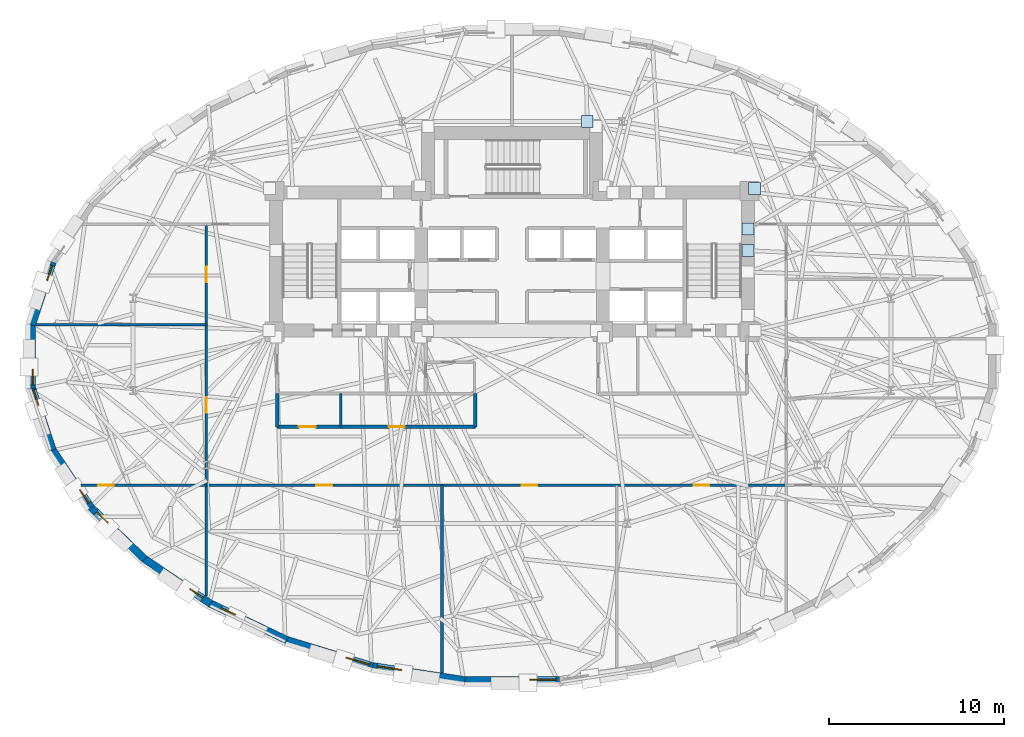
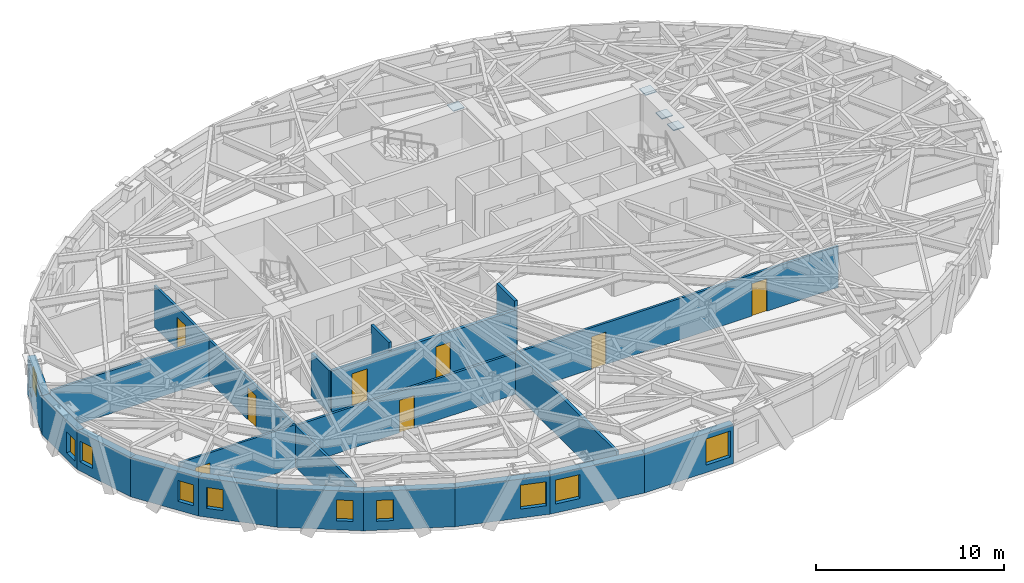
# One storey, part 6 of 14: 19 walls, 10 windows, 8 doors, 4 plates, 18 openings.
"""IFC4 building model written with IfcOpenShell, lengths in metres."""

from ifc_helpers import new_model, si_unit, direction, frame, frame_2d, origin, origin_2d, place, context, subcontext, project, spatial, rectangle, extrude, material, layer, layer_set, type_object, element, fill, save


model = new_model("IFC4")

# Units and contexts
model_context = context("Model", 3, precision=1e-05, world=origin(), true_north=direction((0.0, 1.0)))
body_context = subcontext(model_context, "Body", "Model", "MODEL_VIEW")
ifc_project = project(units=[si_unit("LENGTHUNIT", "METRE"), si_unit("AREAUNIT", "SQUARE_METRE"), si_unit("VOLUMEUNIT", "CUBIC_METRE"), si_unit("PLANEANGLEUNIT", "RADIAN"), si_unit("MASSUNIT", "GRAM", prefix="KILO")], contexts=[model_context])

# Site, building, storey
site_placement = place(None, origin())
site = spatial("IfcSite", under=ifc_project, at=site_placement, CompositionType="ELEMENT")
building_placement = place(site_placement, origin())
building = spatial("IfcBuilding", under=site, at=building_placement, Name="Keldmark Tower", CompositionType="ELEMENT")
storey_placement = place(building_placement, frame((0.0, 0.0, 107.10009765625)))
storey = spatial("IfcBuildingStorey", under=building, at=storey_placement, Name="L28", CompositionType="ELEMENT", Elevation=107.10009765625)

# Plates
ifc_material_1 = material(Name="Steel ASTM A572 Grade 50", Category="steel")
ifc_layer_1 = layer(ifc_material_1, 0.06005859375)
ifc_layer_set_1 = layer_set([ifc_layer_1], Name="Steel ASTM A572 Grade 50")
plate_type = type_object("IfcPlateType", Name="Belt Truss Kink Node Assembly KN01 60 mm", PredefinedType="USERDEFINED", material=ifc_layer_set_1)
for number, where, z_axis, x_axis, name in (
    (1, (13.878173828125, 9.608154296875, 3.01416015625), (0.0, 0.0, 1.0), (1.0, 0.0, 0.0), "L28 Core Wall Cast-In Embed Plate 778"),
    (2, (13.52490234375, 7.278564453125, 3.01416015625), (0.0, 0.0, 1.0), (1.0, 0.0, 0.0), "L28 Core Wall Cast-In Embed Plate 791"),
    (3, (13.52490234375, 6.04296875, 3.01416015625), (0.0, 0.0, 1.0), (1.0, 0.0, 0.0), "L28 Core Wall Cast-In Embed Plate 805"),
    (4, (4.311279296875, 13.4326171875, 3.01416015625), (0.0, 0.0, 1.0), (1.0, 0.0, 0.0), "L28 Core Wall Cast-In Embed Plate 806"),
):
    element("IfcPlate", number, at=place(storey_placement, frame(where, z_axis=z_axis, x_axis=x_axis)), inside=storey, type_object=plate_type, Name=name, ObjectType="CAP PLATE", PredefinedType="USERDEFINED", context=body_context, shape_type="SweptSolid", body=[
        extrude(rectangle(XDim=0.679931640625, YDim=0.679931640625, at=origin_2d()), origin(), (0.0, 0.0, 1.0), 0.054931640625),
    ])

# Wall, openings, doors
ifc_material_2 = material(Name="Acoustic Double-Layer Gypsum Corridor Partition", Category="gypsum")
ifc_layer_2 = layer(ifc_material_2, 0.139892578125)
ifc_layer_set_2 = layer_set([ifc_layer_2], Name="Acoustic Double-Layer Gypsum Corridor Partition")
wall_type_1 = type_object("IfcWallType", Name="Acoustic Corridor Partition 140 mm", PredefinedType="PARTITIONING", material=ifc_layer_set_2)
wall_1_placement = place(storey_placement, frame((-17.5, -7.39990234375, 0.0), z_axis=(0.0, 0.0, 1.0), x_axis=(1.0, 0.0, 0.0)))
wall_1 = element("IfcWall", 5, at=wall_1_placement, inside=storey, type_object=wall_type_1, Name="L28 Acoustic Corridor Partition 140 mm COR-S", PredefinedType="PARTITIONING", context=body_context, shape_type="SweptSolid", body=[
    extrude(rectangle(XDim=33.199951171875, YDim=0.139892578125, at=frame_2d((16.60009765625, 0.0))), origin(), (0.0, 0.0, 1.0), 2.68798828125),
])
opening_1_placement = place(wall_1_placement, frame((6.300048828125, 0.0, 0.0)))
opening_1 = element("IfcOpeningElement", 6, at=opening_1_placement, cuts=wall_1, Name="Opening D-IN090", PredefinedType="OPENING", context=body_context, shape_type="SweptSolid", body=[
    extrude(rectangle(XDim=0.89990234375, YDim=2.10009765625, at=frame_2d((0.449951171875, 1.050048828125))), frame((0.0, 0.079833984375, 0.0), z_axis=(0.0, -1.0, 0.0), x_axis=(1.0, 0.0, 0.0)), (0.0, 0.0, 1.0), 0.159912109375),
])
opening_2_placement = place(wall_1_placement, frame((18.050048828125, 0.0, 0.0)))
opening_2 = element("IfcOpeningElement", 7, at=opening_2_placement, cuts=wall_1, Name="Opening D-IN090", PredefinedType="OPENING", context=body_context, shape_type="SweptSolid", body=[
    extrude(rectangle(XDim=0.89990234375, YDim=2.10009765625, at=frame_2d((0.449951171875, 1.050048828125))), frame((0.0, 0.079833984375, 0.0), z_axis=(0.0, -1.0, 0.0), x_axis=(1.0, 0.0, 0.0)), (0.0, 0.0, 1.0), 0.159912109375),
])
opening_3_placement = place(wall_1_placement, frame((27.89990234375, 0.0, 0.0)))
opening_3 = element("IfcOpeningElement", 8, at=opening_3_placement, cuts=wall_1, Name="Opening D-IN090", PredefinedType="OPENING", context=body_context, shape_type="SweptSolid", body=[
    extrude(rectangle(XDim=0.89990234375, YDim=2.10009765625, at=frame_2d((0.449951171875, 1.050048828125))), frame((0.0, 0.079833984375, 0.0), z_axis=(0.0, -1.0, 0.0), x_axis=(1.0, 0.0, 0.0)), (0.0, 0.0, 1.0), 0.159912109375),
])
ifc_material_3 = material(Name="Stained American White Oak Veneer", Category="wood")
door_type_1 = type_object("IfcDoorType", Name="Interior Door 900x2100", OperationType="NOTDEFINED", PredefinedType="DOOR", material=ifc_material_3)
door_1_placement = place(opening_1_placement, origin())
door_1 = element("IfcDoor", 9, at=door_1_placement, inside=storey, type_object=door_type_1, Name="L28 Interior Door 900x2100 D-SR-1-L28", OperationType="SINGLE_SWING_LEFT", OverallHeight=2.10009765625, OverallWidth=0.89990234375, PredefinedType="DOOR", context=body_context, shape_type="SweptSolid", body=[
    extrude(rectangle(XDim=0.89990234375, YDim=2.10009765625, at=frame_2d((0.449951171875, 1.050048828125))), frame((0.0, 0.02490234375, 0.0), z_axis=(0.0, -1.0, 0.0), x_axis=(1.0, 0.0, 0.0)), (0.0, 0.0, 1.0), 0.050048828125),
])
fill(opening_1, door_1)
door_2_placement = place(opening_2_placement, origin())
door_2 = element("IfcDoor", 10, at=door_2_placement, inside=storey, type_object=door_type_1, Name="L28 Interior Door 900x2100 D-SR-2-L28", OperationType="SINGLE_SWING_RIGHT", OverallHeight=2.10009765625, OverallWidth=0.89990234375, PredefinedType="DOOR", context=body_context, shape_type="SweptSolid", body=[
    extrude(rectangle(XDim=0.89990234375, YDim=2.10009765625, at=frame_2d((0.449951171875, 1.050048828125))), frame((0.0, 0.02490234375, 0.0), z_axis=(0.0, -1.0, 0.0), x_axis=(1.0, 0.0, 0.0)), (0.0, 0.0, 1.0), 0.050048828125),
])
fill(opening_2, door_2)
door_3_placement = place(opening_3_placement, origin())
door_3 = element("IfcDoor", 11, at=door_3_placement, inside=storey, type_object=door_type_1, Name="L28 Interior Door 900x2100 D-SR-3-L28", OperationType="SINGLE_SWING_LEFT", OverallHeight=2.10009765625, OverallWidth=0.89990234375, PredefinedType="DOOR", context=body_context, shape_type="SweptSolid", body=[
    extrude(rectangle(XDim=0.89990234375, YDim=2.10009765625, at=frame_2d((0.449951171875, 1.050048828125))), frame((0.0, 0.02490234375, 0.0), z_axis=(0.0, -1.0, 0.0), x_axis=(1.0, 0.0, 0.0)), (0.0, 0.0, 1.0), 0.050048828125),
])
fill(opening_3, door_3)

wall_2_placement = place(storey_placement, frame((-17.5, -13.748291015625, 0.0), z_axis=(0.0, 0.0, 1.0), x_axis=(0.0, 1.0, 0.0)))
wall_2 = element("IfcWall", 12, at=wall_2_placement, inside=storey, type_object=wall_type_1, Name="L28 Acoustic Corridor Partition 140 mm COR-W", PredefinedType="PARTITIONING", context=body_context, shape_type="SweptSolid", body=[
    extrude(rectangle(XDim=21.29833984375, YDim=0.139892578125, at=frame_2d((10.649169921875, 0.0))), origin(), (0.0, 0.0, 1.0), 2.68798828125),
])
opening_4_placement = place(wall_2_placement, frame((10.49853515625, 0.0, 0.0)))
opening_4 = element("IfcOpeningElement", 13, at=opening_4_placement, cuts=wall_2, Name="Opening D-IN090", PredefinedType="OPENING", context=body_context, shape_type="SweptSolid", body=[
    extrude(rectangle(XDim=0.89990234375, YDim=2.10009765625, at=frame_2d((0.449951171875, 1.050048828125))), frame((0.0, 0.079833984375, 0.0), z_axis=(0.0, -1.0, 0.0), x_axis=(1.0, 0.0, 0.0)), (0.0, 0.0, 1.0), 0.159912109375),
])
opening_5_placement = place(wall_2_placement, frame((17.9736328125, 0.0, 0.0)))
opening_5 = element("IfcOpeningElement", 14, at=opening_5_placement, cuts=wall_2, Name="Opening D-IN090", PredefinedType="OPENING", context=body_context, shape_type="SweptSolid", body=[
    extrude(rectangle(XDim=0.89990234375, YDim=2.10009765625, at=frame_2d((0.449951171875, 1.050048828125))), frame((0.0, 0.079833984375, 0.0), z_axis=(0.0, -1.0, 0.0), x_axis=(1.0, 0.0, 0.0)), (0.0, 0.0, 1.0), 0.159912109375),
])
door_4_placement = place(opening_4_placement, origin())
door_4 = element("IfcDoor", 15, at=door_4_placement, inside=storey, type_object=door_type_1, Name="L28 Interior Door 900x2100 D-WR-1-L28", OperationType="SINGLE_SWING_RIGHT", OverallHeight=2.10009765625, OverallWidth=0.89990234375, PredefinedType="DOOR", context=body_context, shape_type="SweptSolid", body=[
    extrude(rectangle(XDim=0.89990234375, YDim=2.10009765625, at=frame_2d((0.449951171875, 1.050048828125))), frame((0.0, 0.02490234375, 0.0), z_axis=(0.0, -1.0, 0.0), x_axis=(1.0, 0.0, 0.0)), (0.0, 0.0, 1.0), 0.050048828125),
])
fill(opening_4, door_4)
door_5_placement = place(opening_5_placement, origin())
door_5 = element("IfcDoor", 16, at=door_5_placement, inside=storey, type_object=door_type_1, Name="L28 Interior Door 900x2100 D-WR-2-L28", OperationType="SINGLE_SWING_RIGHT", OverallHeight=2.10009765625, OverallWidth=0.89990234375, PredefinedType="DOOR", context=body_context, shape_type="SweptSolid", body=[
    extrude(rectangle(XDim=0.89990234375, YDim=2.10009765625, at=frame_2d((0.449951171875, 1.050048828125))), frame((0.0, 0.02490234375, 0.0), z_axis=(0.0, -1.0, 0.0), x_axis=(1.0, 0.0, 0.0)), (0.0, 0.0, 1.0), 0.050048828125),
])
fill(opening_5, door_5)

# Wall
ifc_material_4 = material(Name="STC-58 Insulated Tenant Demising Gypsum Partition", Category="gypsum")
ifc_layer_3 = layer(ifc_material_4, 0.175048828125)
ifc_layer_set_3 = layer_set([ifc_layer_3], Name="STC-58 Insulated Tenant Demising Gypsum Partition")
wall_type_2 = type_object("IfcWallType", Name="Demising Suite Partition 175 mm", PredefinedType="PARTITIONING", material=ifc_layer_set_3)
wall_3_placement = place(storey_placement, frame((-4.0, -18.14208984375, 0.0), z_axis=(0.0, 0.0, 1.0), x_axis=(0.0, 1.0, 0.0)))
element("IfcWall", 17, at=wall_3_placement, inside=storey, type_object=wall_type_2, Name="L28 Demising Suite Partition 175 mm S-DIV-1", PredefinedType="PARTITIONING", context=body_context, shape_type="SweptSolid", body=[
    extrude(rectangle(XDim=10.7421875, YDim=0.175048828125, at=frame_2d((5.37109375, 0.0))), origin(), (0.0, 0.0, 1.0), 2.762939453125),
])

# Wall, openings, doors
ifc_material_5 = material(Name="Heavy Acoustic Plumbing Chase Gypsum Assembly", Category="gypsum")
ifc_layer_4 = layer(ifc_material_5, 0.18994140625)
ifc_layer_set_4 = layer_set([ifc_layer_4], Name="Heavy Acoustic Plumbing Chase Gypsum Assembly")
wall_type_3 = type_object("IfcWallType", Name="Heavy Wet Wall 190 mm", PredefinedType="PLUMBINGWALL", material=ifc_layer_set_4)
wall_4_placement = place(storey_placement, frame((-13.449951171875, -4.050048828125, 0.0), z_axis=(0.0, 0.0, 1.0), x_axis=(1.0, 0.0, 0.0)))
wall_4 = element("IfcWall", 18, at=wall_4_placement, inside=storey, type_object=wall_type_3, Name="L28 Heavy Wet Wall 190 mm SPK-W-S", PredefinedType="PLUMBINGWALL", context=body_context, shape_type="SweptSolid", body=[
    extrude(rectangle(XDim=11.349853515625, YDim=0.18994140625, at=frame_2d((5.6748046875, 0.0))), origin(), (0.0, 0.0, 1.0), 2.762939453125),
])
opening_6_placement = place(wall_4_placement, frame((1.25, 0.0, 0.0)))
opening_6 = element("IfcOpeningElement", 19, at=opening_6_placement, cuts=wall_4, Name="Opening D-AWC95", PredefinedType="OPENING", context=body_context, shape_type="SweptSolid", body=[
    extrude(rectangle(XDim=0.949951171875, YDim=2.14990234375, at=frame_2d((0.47509765625, 1.074951171875))), frame((0.0, 0.10498046875, 0.0), z_axis=(0.0, -1.0, 0.0), x_axis=(1.0, 0.0, 0.0)), (0.0, 0.0, 1.0), 0.2099609375),
])
opening_7_placement = place(wall_4_placement, frame((6.39990234375, 0.0, 0.0)))
opening_7 = element("IfcOpeningElement", 20, at=opening_7_placement, cuts=wall_4, Name="Opening D-IN090", PredefinedType="OPENING", context=body_context, shape_type="SweptSolid", body=[
    extrude(rectangle(XDim=0.89990234375, YDim=2.10009765625, at=frame_2d((0.449951171875, 1.050048828125))), frame((0.0, 0.10498046875, 0.0), z_axis=(0.0, -1.0, 0.0), x_axis=(1.0, 0.0, 0.0)), (0.0, 0.0, 1.0), 0.2099609375),
])
ifc_material_6 = material(Name="Painted Solid-Core Architectural Wood", Category="wood")
door_type_2 = type_object("IfcDoorType", Name="Accessible WC Door 950x2150", OperationType="NOTDEFINED", PredefinedType="DOOR", material=ifc_material_6)
door_6_placement = place(opening_6_placement, origin())
door_6 = element("IfcDoor", 21, at=door_6_placement, inside=storey, type_object=door_type_2, Name="L28 Accessible WC Door 950x2150 D-SPKW1-L28", OperationType="SINGLE_SWING_RIGHT", OverallHeight=2.14990234375, OverallWidth=0.949951171875, PredefinedType="DOOR", context=body_context, shape_type="SweptSolid", body=[
    extrude(rectangle(XDim=0.949951171875, YDim=2.14990234375, at=frame_2d((0.47509765625, 1.074951171875))), frame((0.0, 0.02490234375, 0.0), z_axis=(0.0, -1.0, 0.0), x_axis=(1.0, 0.0, 0.0)), (0.0, 0.0, 1.0), 0.050048828125),
])
fill(opening_6, door_6)
door_7_placement = place(opening_7_placement, origin())
door_7 = element("IfcDoor", 22, at=door_7_placement, inside=storey, type_object=door_type_1, Name="L28 Interior Door 900x2100 D-SPKW2-L28", OperationType="SINGLE_SWING_RIGHT", OverallHeight=2.10009765625, OverallWidth=0.89990234375, PredefinedType="DOOR", context=body_context, shape_type="SweptSolid", body=[
    extrude(rectangle(XDim=0.89990234375, YDim=2.10009765625, at=frame_2d((0.449951171875, 1.050048828125))), frame((0.0, 0.02490234375, 0.0), z_axis=(0.0, -1.0, 0.0), x_axis=(1.0, 0.0, 0.0)), (0.0, 0.0, 1.0), 0.050048828125),
])
fill(opening_7, door_7)

# Walls
wall_5_placement = place(storey_placement, frame((-13.449951171875, -4.050048828125, 0.0), z_axis=(0.0, 0.0, 1.0), x_axis=(0.0, 1.0, 0.0)))
element("IfcWall", 23, at=wall_5_placement, inside=storey, type_object=wall_type_3, Name="L28 Heavy Wet Wall 190 mm SPK-W-W", PredefinedType="PLUMBINGWALL", context=body_context, shape_type="SweptSolid", body=[
    extrude(rectangle(XDim=1.900146484375, YDim=0.18994140625, at=frame_2d((0.9501953125, 0.0))), origin(), (0.0, 0.0, 1.0), 2.762939453125),
])
wall_6_placement = place(storey_placement, frame((-2.10009765625, -4.050048828125, 0.0), z_axis=(0.0, 0.0, 1.0), x_axis=(0.0, 1.0, 0.0)))
element("IfcWall", 24, at=wall_6_placement, inside=storey, type_object=wall_type_3, Name="L28 Heavy Wet Wall 190 mm SPK-W-E", PredefinedType="PLUMBINGWALL", context=body_context, shape_type="SweptSolid", body=[
    extrude(rectangle(XDim=1.900146484375, YDim=0.18994140625, at=frame_2d((0.9501953125, 0.0))), origin(), (0.0, 0.0, 1.0), 3.309814453125),
])

# Wall, opening, door
ifc_material_7 = material(Name="Acoustic Gypsum Board Interior Partition", Category="gypsum")
ifc_layer_5 = layer(ifc_material_7, 0.1298828125)
ifc_layer_set_5 = layer_set([ifc_layer_5], Name="Acoustic Gypsum Board Interior Partition")
wall_type_4 = type_object("IfcWallType", Name="Interior Partition 130 mm", PredefinedType="PARTITIONING", material=ifc_layer_set_5)
wall_7_placement = place(storey_placement, frame((-24.688720703125, -7.39990234375, 0.0), z_axis=(0.0, 0.0, 1.0), x_axis=(1.0, 0.0, 0.0)))
wall_7 = element("IfcWall", 25, at=wall_7_placement, inside=storey, type_object=wall_type_4, Name="L28 Interior Partition 130 mm W-CAP-S", PredefinedType="PARTITIONING", context=body_context, shape_type="SweptSolid", body=[
    extrude(rectangle(XDim=7.188720703125, YDim=0.1298828125, at=frame_2d((3.59423828125, 0.0))), origin(), (0.0, 0.0, 1.0), 2.762939453125),
])
opening_8_placement = place(wall_7_placement, frame((0.989990234375, 0.0, 0.0)))
opening_8 = element("IfcOpeningElement", 26, at=opening_8_placement, cuts=wall_7, Name="Opening D-IN090", PredefinedType="OPENING", context=body_context, shape_type="SweptSolid", body=[
    extrude(rectangle(XDim=0.89990234375, YDim=2.10009765625, at=frame_2d((0.449951171875, 1.050048828125))), frame((0.0, 0.074951171875, 0.0), z_axis=(0.0, -1.0, 0.0), x_axis=(1.0, 0.0, 0.0)), (0.0, 0.0, 1.0), 0.14990234375),
])
door_8_placement = place(opening_8_placement, origin())
door_8 = element("IfcDoor", 27, at=door_8_placement, inside=storey, type_object=door_type_1, Name="L28 Interior Door 900x2100 D-WRSW-L28", OperationType="SINGLE_SWING_LEFT", OverallHeight=2.10009765625, OverallWidth=0.89990234375, PredefinedType="DOOR", context=body_context, shape_type="SweptSolid", body=[
    extrude(rectangle(XDim=0.89990234375, YDim=2.10009765625, at=frame_2d((0.449951171875, 1.050048828125))), frame((0.0, 0.02490234375, 0.0), z_axis=(0.0, -1.0, 0.0), x_axis=(1.0, 0.0, 0.0)), (0.0, 0.0, 1.0), 0.050048828125),
])
fill(opening_8, door_8)

# Wall
wall_8_placement = place(storey_placement, frame((-27.260498046875, 1.800048828125, 0.0), z_axis=(0.0, 0.0, 1.0), x_axis=(1.0, 0.0, 0.0)))
element("IfcWall", 28, at=wall_8_placement, inside=storey, type_object=wall_type_4, Name="L28 Interior Partition 130 mm W-DIV-1", PredefinedType="PARTITIONING", context=body_context, shape_type="SweptSolid", body=[
    extrude(rectangle(XDim=9.760498046875, YDim=0.1298828125, at=frame_2d((4.88037109375, 0.0))), origin(), (0.0, 0.0, 1.0), 2.762939453125),
])

# Wall, opening, window
ifc_material_8 = material(Name="Ironspot Manganese Brick and Kasota Buff Limestone Spandrel Assembly", Category="masonry")
ifc_layer_6 = layer(ifc_material_8, 0.43994140625)
ifc_layer_set_6 = layer_set([ifc_layer_6], Name="Ironspot Manganese Brick and Kasota Buff Limestone Spandrel Assembly")
wall_type_5 = type_object("IfcWallType", Name="Tower Brick Pier and Spandrel Wall 440 mm", PredefinedType="STANDARD", material=ifc_layer_set_6)
wall_9_placement = place(storey_placement, frame((-27.5068359375, 1.781494140625, 0.0), z_axis=(0.0, 0.0, 1.0), x_axis=(0.314316911692, 0.94931811266, 0.0)))
wall_9 = element("IfcWall", 29, at=wall_9_placement, inside=storey, type_object=wall_type_5, Name="L28 Exterior Brick and Spandrel Wall 15", PredefinedType="STANDARD", context=body_context, shape_type="SweptSolid", body=[
    extrude(rectangle(XDim=3.7958984375, YDim=0.43994140625, at=frame_2d((1.89794921875, 0.0))), origin(), (0.0, 0.0, 1.0), 2.52783203125),
])
opening_9_placement = place(wall_9_placement, frame((2.69580078125, 0.0, 0.580078125)))
opening_9 = element("IfcOpeningElement", 30, at=opening_9_placement, cuts=wall_9, Name="Opening W-09", PredefinedType="OPENING", context=body_context, shape_type="SweptSolid", body=[
    extrude(rectangle(XDim=0.89990234375, YDim=1.35009765625, at=frame_2d((0.449951171875, 0.675048828125))), frame((0.0, 0.22998046875, 0.0), z_axis=(0.0, -1.0, 0.0), x_axis=(1.0, 0.0, 0.0)), (0.0, 0.0, 1.0), 0.4599609375),
])
ifc_material_9 = material(Name="Thermally Broken Anodized Aluminum and Triple Low-E Argon Glazing", Category="aluminium")
window_type_1 = type_object("IfcWindowType", Name="Corner Pier Deep-Set Window 900x1350", PartitioningType="SINGLE_PANEL", PredefinedType="WINDOW", material=ifc_material_9)
window_1_placement = place(opening_9_placement, origin())
window_1 = element("IfcWindow", 31, at=window_1_placement, inside=storey, type_object=window_type_1, Name="L28 Deep-Set Window 15", OverallHeight=1.35009765625, OverallWidth=0.89990234375, PartitioningType="SINGLE_PANEL", PredefinedType="WINDOW", context=body_context, shape_type="SweptSolid", body=[
    extrude(rectangle(XDim=0.89990234375, YDim=1.35009765625, at=frame_2d((0.449951171875, 0.675048828125))), frame((0.0, -0.010009765625, 0.0), z_axis=(0.0, -1.0, 0.0), x_axis=(1.0, 0.0, 0.0)), (0.0, 0.0, 1.0), 0.06005859375),
])
fill(opening_9, window_1)

wall_10_placement = place(storey_placement, frame((-27.49560546875, -1.8505859375, 0.0), z_axis=(0.0, 0.0, 1.0), x_axis=(0.0, 1.0, 0.0)))
wall_10 = element("IfcWall", 32, at=wall_10_placement, inside=storey, type_object=wall_type_5, Name="L28 Exterior Brick and Spandrel Wall 16", PredefinedType="STANDARD", context=body_context, shape_type="SweptSolid", body=[
    extrude(rectangle(XDim=3.701171875, YDim=0.43994140625, at=frame_2d((1.8505859375, 0.0))), origin(), (0.0, 0.0, 1.0), 2.52783203125),
])
opening_10_placement = place(wall_10_placement, frame((0.199951171875, 0.0, 0.419921875)))
opening_10 = element("IfcOpeningElement", 33, at=opening_10_placement, cuts=wall_10, Name="Opening W-09", PredefinedType="OPENING", context=body_context, shape_type="SweptSolid", body=[
    extrude(rectangle(XDim=0.89990234375, YDim=1.35009765625, at=frame_2d((0.449951171875, 0.675048828125))), frame((0.0, 0.22998046875, 0.0), z_axis=(0.0, -1.0, 0.0), x_axis=(1.0, 0.0, 0.0)), (0.0, 0.0, 1.0), 0.4599609375),
])
window_2_placement = place(opening_10_placement, origin())
window_2 = element("IfcWindow", 34, at=window_2_placement, inside=storey, type_object=window_type_1, Name="L28 Deep-Set Window 16", OverallHeight=1.35009765625, OverallWidth=0.89990234375, PartitioningType="SINGLE_PANEL", PredefinedType="WINDOW", context=body_context, shape_type="SweptSolid", body=[
    extrude(rectangle(XDim=0.89990234375, YDim=1.35009765625, at=frame_2d((0.449951171875, 0.675048828125))), frame((0.0, -0.010009765625, 0.0), z_axis=(0.0, -1.0, 0.0), x_axis=(1.0, 0.0, 0.0)), (0.0, 0.0, 1.0), 0.06005859375),
])
fill(opening_10, window_2)

wall_11_placement = place(storey_placement, frame((-26.313720703125, -5.385009765625, 0.0), z_axis=(0.0, 0.0, 1.0), x_axis=(-0.314316911692, 0.94931811266, 0.0)))
wall_11 = element("IfcWall", 35, at=wall_11_placement, inside=storey, type_object=wall_type_5, Name="L28 Exterior Brick and Spandrel Wall 17", PredefinedType="STANDARD", context=body_context, shape_type="SweptSolid", body=[
    extrude(rectangle(XDim=3.7958984375, YDim=0.43994140625, at=frame_2d((1.89794921875, 0.0))), origin(), (0.0, 0.0, 1.0), 2.52783203125),
])
opening_11_placement = place(wall_11_placement, frame((2.69580078125, 0.0, 0.580078125)))
opening_11 = element("IfcOpeningElement", 36, at=opening_11_placement, cuts=wall_11, Name="Opening W-09", PredefinedType="OPENING", context=body_context, shape_type="SweptSolid", body=[
    extrude(rectangle(XDim=0.89990234375, YDim=1.35009765625, at=frame_2d((0.449951171875, 0.675048828125))), frame((0.0, 0.22998046875, 0.0), z_axis=(0.0, -1.0, 0.0), x_axis=(1.0, 0.0, 0.0)), (0.0, 0.0, 1.0), 0.4599609375),
])
window_3_placement = place(opening_11_placement, origin())
window_3 = element("IfcWindow", 37, at=window_3_placement, inside=storey, type_object=window_type_1, Name="L28 Deep-Set Window 17", OverallHeight=1.35009765625, OverallWidth=0.89990234375, PartitioningType="SINGLE_PANEL", PredefinedType="WINDOW", context=body_context, shape_type="SweptSolid", body=[
    extrude(rectangle(XDim=0.89990234375, YDim=1.35009765625, at=frame_2d((0.449951171875, 0.675048828125))), frame((0.0, -0.010009765625, 0.0), z_axis=(0.0, -1.0, 0.0), x_axis=(1.0, 0.0, 0.0)), (0.0, 0.0, 1.0), 0.06005859375),
])
fill(opening_11, window_3)

wall_12_placement = place(storey_placement, frame((-24.10986328125, -8.680419921875, 0.0), z_axis=(0.0, 0.0, 1.0), x_axis=(-0.554293965046, 0.83232097193, 0.0)))
wall_12 = element("IfcWall", 38, at=wall_12_placement, inside=storey, type_object=wall_type_5, Name="L28 Exterior Brick and Spandrel Wall 18", PredefinedType="STANDARD", context=body_context, shape_type="SweptSolid", body=[
    extrude(rectangle(XDim=4.022705078125, YDim=0.43994140625, at=frame_2d((2.01123046875, 0.0))), origin(), (0.0, 0.0, 1.0), 2.52783203125),
])
opening_12_placement = place(wall_12_placement, frame((0.299072265625, 0.0, 0.580078125)))
opening_12 = element("IfcOpeningElement", 39, at=opening_12_placement, cuts=wall_12, Name="Opening W-09", PredefinedType="OPENING", context=body_context, shape_type="SweptSolid", body=[
    extrude(rectangle(XDim=0.89990234375, YDim=1.35009765625, at=frame_2d((0.449951171875, 0.675048828125))), frame((0.0, 0.22998046875, 0.0), z_axis=(0.0, -1.0, 0.0), x_axis=(1.0, 0.0, 0.0)), (0.0, 0.0, 1.0), 0.4599609375),
])
window_4_placement = place(opening_12_placement, origin())
window_4 = element("IfcWindow", 40, at=window_4_placement, inside=storey, type_object=window_type_1, Name="L28 Deep-Set Window 18", OverallHeight=1.35009765625, OverallWidth=0.89990234375, PartitioningType="SINGLE_PANEL", PredefinedType="WINDOW", context=body_context, shape_type="SweptSolid", body=[
    extrude(rectangle(XDim=0.89990234375, YDim=1.35009765625, at=frame_2d((0.449951171875, 0.675048828125))), frame((0.0, -0.010009765625, 0.0), z_axis=(0.0, -1.0, 0.0), x_axis=(1.0, 0.0, 0.0)), (0.0, 0.0, 1.0), 0.06005859375),
])
fill(opening_12, window_4)

wall_13_placement = place(storey_placement, frame((-21.037109375, -11.6298828125, 0.0), z_axis=(0.0, 0.0, 1.0), x_axis=(-0.720581378362, 0.693370375166, 0.0)))
wall_13 = element("IfcWall", 41, at=wall_13_placement, inside=storey, type_object=wall_type_5, Name="L28 Exterior Brick and Spandrel Wall 19", PredefinedType="STANDARD", context=body_context, shape_type="SweptSolid", body=[
    extrude(rectangle(XDim=4.306640625, YDim=0.43994140625, at=frame_2d((2.1533203125, 0.0))), origin(), (0.0, 0.0, 1.0), 2.52783203125),
])
opening_13_placement = place(wall_13_placement, frame((2.960205078125, 0.0, 0.580078125)))
opening_13 = element("IfcOpeningElement", 42, at=opening_13_placement, cuts=wall_13, Name="Opening W-09", PredefinedType="OPENING", context=body_context, shape_type="SweptSolid", body=[
    extrude(rectangle(XDim=0.89990234375, YDim=1.35009765625, at=frame_2d((0.449951171875, 0.675048828125))), frame((0.0, 0.22998046875, 0.0), z_axis=(0.0, -1.0, 0.0), x_axis=(1.0, 0.0, 0.0)), (0.0, 0.0, 1.0), 0.4599609375),
])
window_5_placement = place(opening_13_placement, origin())
window_5 = element("IfcWindow", 43, at=window_5_placement, inside=storey, type_object=window_type_1, Name="L28 Deep-Set Window 19", OverallHeight=1.35009765625, OverallWidth=0.89990234375, PartitioningType="SINGLE_PANEL", PredefinedType="WINDOW", context=body_context, shape_type="SweptSolid", body=[
    extrude(rectangle(XDim=0.89990234375, YDim=1.35009765625, at=frame_2d((0.449951171875, 0.675048828125))), frame((0.0, -0.010009765625, 0.0), z_axis=(0.0, -1.0, 0.0), x_axis=(1.0, 0.0, 0.0)), (0.0, 0.0, 1.0), 0.06005859375),
])
fill(opening_13, window_5)

wall_14_placement = place(storey_placement, frame((-17.266357421875, -14.18212890625, 0.0), z_axis=(0.0, 0.0, 1.0), x_axis=(-0.827754551165, 0.56109036975, 0.0)))
wall_14 = element("IfcWall", 44, at=wall_14_placement, inside=storey, type_object=wall_type_5, Name="L28 Exterior Brick and Spandrel Wall 20", PredefinedType="STANDARD", context=body_context, shape_type="SweptSolid", body=[
    extrude(rectangle(XDim=4.590576171875, YDim=0.43994140625, at=frame_2d((2.29541015625, 0.0))), origin(), (0.0, 0.0, 1.0), 2.52783203125),
])
opening_14_placement = place(wall_14_placement, frame((0.549072265625, 0.0, 0.580078125)))
opening_14 = element("IfcOpeningElement", 45, at=opening_14_placement, cuts=wall_14, Name="Opening W-09", PredefinedType="OPENING", context=body_context, shape_type="SweptSolid", body=[
    extrude(rectangle(XDim=0.89990234375, YDim=1.35009765625, at=frame_2d((0.449951171875, 0.675048828125))), frame((0.0, 0.22998046875, 0.0), z_axis=(0.0, -1.0, 0.0), x_axis=(1.0, 0.0, 0.0)), (0.0, 0.0, 1.0), 0.4599609375),
])
window_6_placement = place(opening_14_placement, origin())
window_6 = element("IfcWindow", 46, at=window_6_placement, inside=storey, type_object=window_type_1, Name="L28 Deep-Set Window 20", OverallHeight=1.35009765625, OverallWidth=0.89990234375, PartitioningType="SINGLE_PANEL", PredefinedType="WINDOW", context=body_context, shape_type="SweptSolid", body=[
    extrude(rectangle(XDim=0.89990234375, YDim=1.35009765625, at=frame_2d((0.449951171875, 0.675048828125))), frame((0.0, -0.010009765625, 0.0), z_axis=(0.0, -1.0, 0.0), x_axis=(1.0, 0.0, 0.0)), (0.0, 0.0, 1.0), 0.06005859375),
])
fill(opening_14, window_6)

wall_15_placement = place(storey_placement, frame((-12.889892578125, -16.26953125, 0.0), z_axis=(0.0, 0.0, 1.0), x_axis=(-0.902372757907, 0.430956385018, 0.0)))
wall_15 = element("IfcWall", 47, at=wall_15_placement, inside=storey, type_object=wall_type_5, Name="L28 Exterior Brick and Spandrel Wall 21", PredefinedType="STANDARD", context=body_context, shape_type="SweptSolid", body=[
    extrude(rectangle(XDim=4.881591796875, YDim=0.43994140625, at=frame_2d((2.44091796875, 0.0))), origin(), (0.0, 0.0, 1.0), 2.52783203125),
])
opening_15_placement = place(wall_15_placement, frame((3.2841796875, 0.0, 0.580078125)))
opening_15 = element("IfcOpeningElement", 48, at=opening_15_placement, cuts=wall_15, Name="Opening W-09", PredefinedType="OPENING", context=body_context, shape_type="SweptSolid", body=[
    extrude(rectangle(XDim=0.89990234375, YDim=1.35009765625, at=frame_2d((0.449951171875, 0.675048828125))), frame((0.0, 0.22998046875, 0.0), z_axis=(0.0, -1.0, 0.0), x_axis=(1.0, 0.0, 0.0)), (0.0, 0.0, 1.0), 0.4599609375),
])
window_7_placement = place(opening_15_placement, origin())
window_7 = element("IfcWindow", 49, at=window_7_placement, inside=storey, type_object=window_type_1, Name="L28 Deep-Set Window 21", OverallHeight=1.35009765625, OverallWidth=0.89990234375, PartitioningType="SINGLE_PANEL", PredefinedType="WINDOW", context=body_context, shape_type="SweptSolid", body=[
    extrude(rectangle(XDim=0.89990234375, YDim=1.35009765625, at=frame_2d((0.449951171875, 0.675048828125))), frame((0.0, -0.010009765625, 0.0), z_axis=(0.0, -1.0, 0.0), x_axis=(1.0, 0.0, 0.0)), (0.0, 0.0, 1.0), 0.06005859375),
])
fill(opening_15, window_7)

wall_16_placement = place(storey_placement, frame((-7.981201171875, -17.769287109375, 0.0), z_axis=(0.0, 0.0, 1.0), x_axis=(-0.956228569431, 0.292620783617, 0.0)))
wall_16 = element("IfcWall", 50, at=wall_16_placement, inside=storey, type_object=wall_type_5, Name="L28 Exterior Brick and Spandrel Wall 22", PredefinedType="STANDARD", context=body_context, shape_type="SweptSolid", body=[
    extrude(rectangle(XDim=5.165283203125, YDim=0.43994140625, at=frame_2d((2.58251953125, 0.0))), origin(), (0.0, 0.0, 1.0), 2.52783203125),
])
opening_16_placement = place(wall_16_placement, frame((0.199951171875, 0.0, 0.580078125)))
opening_16 = element("IfcOpeningElement", 51, at=opening_16_placement, cuts=wall_16, Name="Opening W-08", PredefinedType="OPENING", context=body_context, shape_type="SweptSolid", body=[
    extrude(rectangle(XDim=1.39990234375, YDim=1.550048828125, at=frame_2d((0.699951171875, 0.77490234375))), frame((0.0, 0.22998046875, 0.0), z_axis=(0.0, -1.0, 0.0), x_axis=(1.0, 0.0, 0.0)), (0.0, 0.0, 1.0), 0.4599609375),
])
ifc_material_10 = material(Name="Thermally Broken Anodized Aluminum and Triple Low-E Argon Glazing", Category="aluminium")
window_type_2 = type_object("IfcWindowType", Name="Residential Corner Punched Window 1400x1550", PartitioningType="SINGLE_PANEL", PredefinedType="WINDOW", material=ifc_material_10)
window_8_placement = place(opening_16_placement, origin())
window_8 = element("IfcWindow", 52, at=window_8_placement, inside=storey, type_object=window_type_2, Name="L28 Deep-Set Window 22", OverallHeight=1.550048828125, OverallWidth=1.39990234375, PartitioningType="SINGLE_PANEL", PredefinedType="WINDOW", context=body_context, shape_type="SweptSolid", body=[
    extrude(rectangle(XDim=1.39990234375, YDim=1.550048828125, at=frame_2d((0.699951171875, 0.77490234375))), frame((0.0, -0.010009765625, 0.0), z_axis=(0.0, -1.0, 0.0), x_axis=(1.0, 0.0, 0.0)), (0.0, 0.0, 1.0), 0.06005859375),
])
fill(opening_16, window_8)

wall_17_placement = place(storey_placement, frame((-2.69677734375, -18.57080078125, 0.0), z_axis=(0.0, 0.0, 1.0), x_axis=(-0.988627497469, 0.150385076545, 0.0)))
wall_17 = element("IfcWall", 53, at=wall_17_placement, inside=storey, type_object=wall_type_5, Name="L28 Exterior Brick and Spandrel Wall 23", PredefinedType="STANDARD", context=body_context, shape_type="SweptSolid", body=[
    extrude(rectangle(XDim=5.376708984375, YDim=0.43994140625, at=frame_2d((2.6884765625, 0.0))), origin(), (0.0, 0.0, 1.0), 2.52783203125),
])
opening_17_placement = place(wall_17_placement, frame((3.677490234375, 0.0, 0.580078125)))
opening_17 = element("IfcOpeningElement", 54, at=opening_17_placement, cuts=wall_17, Name="Opening W-08", PredefinedType="OPENING", context=body_context, shape_type="SweptSolid", body=[
    extrude(rectangle(XDim=1.39990234375, YDim=1.550048828125, at=frame_2d((0.699951171875, 0.77490234375))), frame((0.0, 0.22998046875, 0.0), z_axis=(0.0, -1.0, 0.0), x_axis=(1.0, 0.0, 0.0)), (0.0, 0.0, 1.0), 0.4599609375),
])
window_9_placement = place(opening_17_placement, origin())
window_9 = element("IfcWindow", 55, at=window_9_placement, inside=storey, type_object=window_type_2, Name="L28 Deep-Set Window 23", OverallHeight=1.550048828125, OverallWidth=1.39990234375, PartitioningType="SINGLE_PANEL", PredefinedType="WINDOW", context=body_context, shape_type="SweptSolid", body=[
    extrude(rectangle(XDim=1.39990234375, YDim=1.550048828125, at=frame_2d((0.699951171875, 0.77490234375))), frame((0.0, -0.010009765625, 0.0), z_axis=(0.0, -1.0, 0.0), x_axis=(1.0, 0.0, 0.0)), (0.0, 0.0, 1.0), 0.06005859375),
])
fill(opening_17, window_9)

wall_18_placement = place(storey_placement, frame((2.729736328125, -18.568359375, 0.0), z_axis=(0.0, 0.0, 1.0), x_axis=(-1.0, 0.0, 0.0)))
wall_18 = element("IfcWall", 56, at=wall_18_placement, inside=storey, type_object=wall_type_5, Name="L28 Exterior Brick and Spandrel Wall 24", PredefinedType="STANDARD", context=body_context, shape_type="SweptSolid", body=[
    extrude(rectangle(XDim=5.45947265625, YDim=0.43994140625, at=frame_2d((2.729736328125, 0.0))), origin(), (0.0, 0.0, 1.0), 2.52783203125),
])
opening_18_placement = place(wall_18_placement, frame((0.199951171875, 0.0, 0.47998046875)))
opening_18 = element("IfcOpeningElement", 57, at=opening_18_placement, cuts=wall_18, Name="Opening W-03", PredefinedType="OPENING", context=body_context, shape_type="SweptSolid", body=[
    extrude(rectangle(XDim=1.5, YDim=1.699951171875, at=frame_2d((0.75, 0.85009765625))), frame((0.0, 0.22998046875, 0.0), z_axis=(0.0, -1.0, 0.0), x_axis=(1.0, 0.0, 0.0)), (0.0, 0.0, 1.0), 0.4599609375),
])
ifc_material_11 = material(Name="Thermally Broken Anodized Aluminum and Triple Low-E Argon Glazing", Category="aluminium")
window_type_3 = type_object("IfcWindowType", Name="Office Corner Deep-Set Window 1500x1700", PartitioningType="DOUBLE_PANEL_VERTICAL", PredefinedType="WINDOW", material=ifc_material_11)
window_10_placement = place(opening_18_placement, origin())
window_10 = element("IfcWindow", 58, at=window_10_placement, inside=storey, type_object=window_type_3, Name="L28 Deep-Set Window 24", OverallHeight=1.699951171875, OverallWidth=1.5, PartitioningType="SINGLE_PANEL", PredefinedType="WINDOW", context=body_context, shape_type="SweptSolid", body=[
    extrude(rectangle(XDim=1.5, YDim=1.699951171875, at=frame_2d((0.75, 0.85009765625))), frame((0.0, -0.010009765625, 0.0), z_axis=(0.0, -1.0, 0.0), x_axis=(1.0, 0.0, 0.0)), (0.0, 0.0, 1.0), 0.06005859375),
])
fill(opening_18, window_10)

# Wall
ifc_material_12 = material(Name="Moisture-Resistant Gypsum Plumbing Partition", Category="gypsum")
ifc_layer_7 = layer(ifc_material_12, 0.14990234375)
ifc_layer_set_7 = layer_set([ifc_layer_7], Name="Moisture-Resistant Gypsum Plumbing Partition")
wall_type_6 = type_object("IfcWallType", Name="Wet Wall 150 mm", PredefinedType="PLUMBINGWALL", material=ifc_layer_set_7)
wall_19_placement = place(storey_placement, frame((-9.800048828125, -4.050048828125, 0.0), z_axis=(0.0, 0.0, 1.0), x_axis=(0.0, 1.0, 0.0)))
element("IfcWall", 59, at=wall_19_placement, inside=storey, type_object=wall_type_6, Name="L28 Wet Wall 150 mm SPK-W-D1", PredefinedType="PLUMBINGWALL", context=body_context, shape_type="SweptSolid", body=[
    extrude(rectangle(XDim=1.900146484375, YDim=0.14990234375, at=frame_2d((0.9501953125, 0.0))), origin(), (0.0, 0.0, 1.0), 3.309814453125),
])

save(model, "model.ifc")
